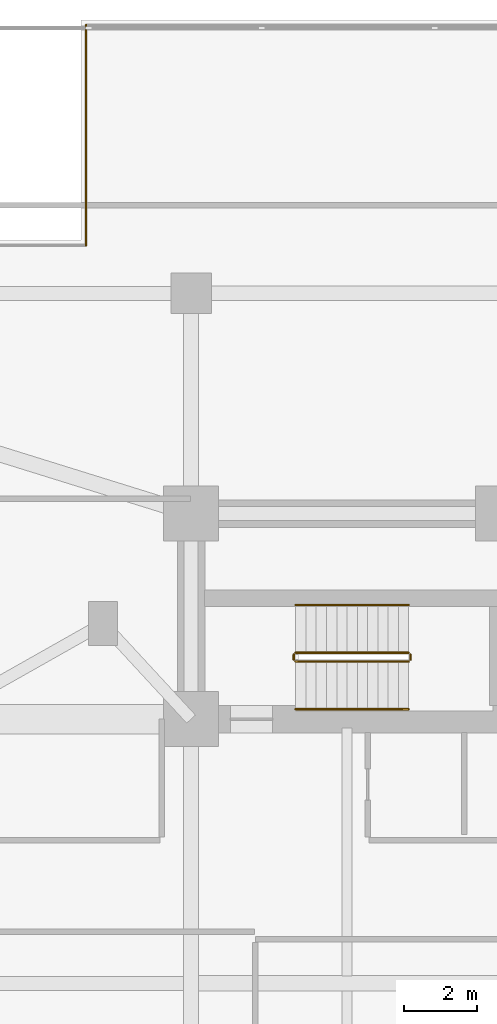
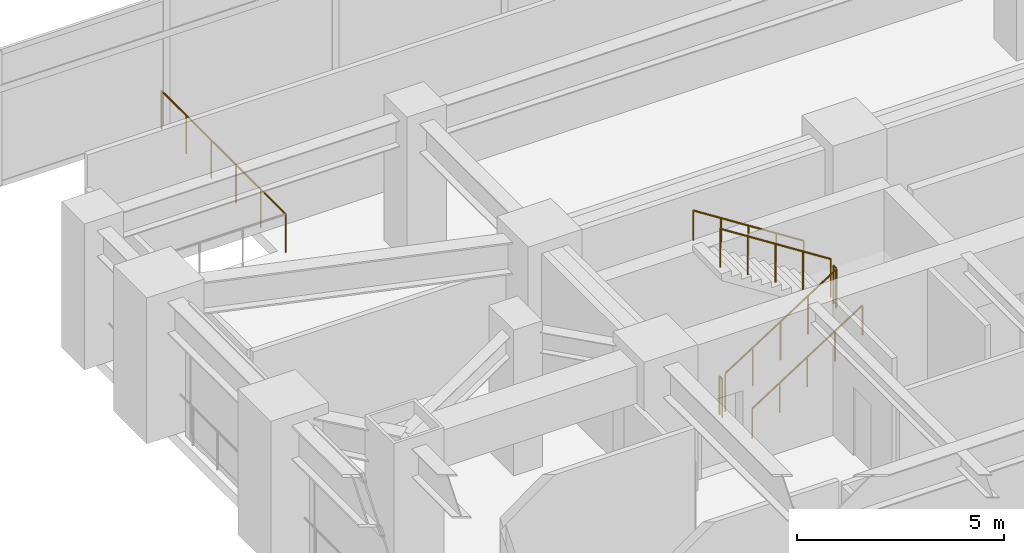
# One storey, part 30 of 31: 7 railings.
"""IFC4 building model written with IfcOpenShell, lengths in metres."""

from ifc_helpers import new_model, si_unit, direction, frame, origin, origin_2d, place, context, subcontext, project, spatial, circle, extrude, material, type_object, element, save


model = new_model("IFC4")

# Units and contexts
model_context = context("Model", 3, precision=1e-05, world=origin(), true_north=direction((0.0, 1.0)))
body_context = subcontext(model_context, "Body", "Model", "MODEL_VIEW")
ifc_project = project(units=[si_unit("LENGTHUNIT", "METRE"), si_unit("AREAUNIT", "SQUARE_METRE"), si_unit("VOLUMEUNIT", "CUBIC_METRE"), si_unit("PLANEANGLEUNIT", "RADIAN"), si_unit("MASSUNIT", "GRAM", prefix="KILO")], contexts=[model_context])

# Site, building, storey
site_placement = place(None, origin())
site = spatial("IfcSite", under=ifc_project, at=site_placement, CompositionType="ELEMENT")
building_placement = place(site_placement, origin())
building = spatial("IfcBuilding", under=site, at=building_placement, Name="Mirazonda Arch Towers", CompositionType="ELEMENT")
storey_placement = place(building_placement, frame((0.0, 0.0, 5.199951171875)))
storey = spatial("IfcBuildingStorey", under=building, at=storey_placement, Name="L01", CompositionType="ELEMENT", Elevation=5.199951171875)

# Railings
ifc_material = material(Name="Architectural Brushed Steel S355", Category="steel")
railing_type_1 = type_object("IfcRailingType", Name="GUARD-EXT-1150", PredefinedType="GUARDRAIL", material=ifc_material)
railing_1_placement = place(storey_placement, frame((65.139892578125, 54.110107421875, 0.0)))
element("IfcRailing", 1, at=railing_1_placement, inside=storey, type_object=railing_type_1, Name="L01 L01 East Podium Perimeter Guard 08", PredefinedType="GUARDRAIL", context=body_context, shape_type="SweptSolid", body=[
    extrude(circle(Radius=0.02392578125, at=origin_2d()), frame((0.0, 0.0, 1.1259765625), z_axis=(0.0, -1.0, 0.0), x_axis=(1.0, 0.0, 0.0)), (0.0, 0.0, 1.0), 6.0),
    extrude(circle(Radius=0.02099609375, at=origin_2d()), origin(), (0.0, 0.0, 1.0), 1.101806640625),
    extrude(circle(Radius=0.02099609375, at=origin_2d()), frame((0.0, -1.199951171875, 0.0)), (0.0, 0.0, 1.0), 1.101806640625),
    extrude(circle(Radius=0.02099609375, at=origin_2d()), frame((0.0, -2.39990234375, 0.0)), (0.0, 0.0, 1.0), 1.101806640625),
    extrude(circle(Radius=0.02099609375, at=origin_2d()), frame((0.0, -3.60009765625, 0.0)), (0.0, 0.0, 1.0), 1.101806640625),
    extrude(circle(Radius=0.02099609375, at=origin_2d()), frame((0.0, -4.800048828125, 0.0)), (0.0, 0.0, 1.0), 1.101806640625),
    extrude(circle(Radius=0.02099609375, at=origin_2d()), frame((0.0, -6.0, 0.0)), (0.0, 0.0, 1.0), 1.101806640625),
])
railing_type_2 = type_object("IfcRailingType", Name="GUARD-STAIR-1120", PredefinedType="GUARDRAIL", material=ifc_material)
railing_2_placement = place(storey_placement, frame((70.85009765625, 36.77001953125, 0.17919921875)))
element("IfcRailing", 2, at=railing_2_placement, inside=storey, type_object=railing_type_2, Name="L01 ST-T2N stair guard 1", PredefinedType="GUARDRAIL", context=body_context, shape_type="SweptSolid", body=[
    extrude(circle(Radius=0.02392578125, at=origin_2d()), frame((0.0, 0.0, 1.1259765625), z_axis=(0.842289589211, 0.0, 0.539025275759), x_axis=(0.0, 1.0, 0.0)), (0.0, 0.0, 1.0), 3.656494140625),
    extrude(circle(Radius=0.02099609375, at=origin_2d()), origin(), (0.0, 0.0, 1.0), 1.101806640625),
    extrude(circle(Radius=0.02099609375, at=origin_2d()), frame((0.77001953125, 0.0, 0.49267578125)), (0.0, 0.0, 1.0), 1.101806640625),
    extrude(circle(Radius=0.02099609375, at=origin_2d()), frame((1.5400390625, 0.0, 0.9853515625)), (0.0, 0.0, 1.0), 1.101806640625),
    extrude(circle(Radius=0.02099609375, at=origin_2d()), frame((2.309814453125, 0.0, 1.478271484375)), (0.0, 0.0, 1.0), 1.101806640625),
    extrude(circle(Radius=0.02099609375, at=origin_2d()), frame((3.079833984375, 0.0, 1.970947265625)), (0.0, 0.0, 1.0), 1.101806640625),
])
railing_3_placement = place(storey_placement, frame((73.97998046875, 36.820068359375, 2.150146484375)))
element("IfcRailing", 3, at=railing_3_placement, inside=storey, type_object=railing_type_2, Name="L01 ST-T2N stair guard 2", PredefinedType="GUARDRAIL", context=body_context, shape_type="SweptSolid", body=[
    extrude(circle(Radius=0.02392578125, at=origin_2d()), frame((0.0, 0.0, 1.1259765625), z_axis=(0.0, 1.0, 0.0), x_axis=(-1.0, 0.0, 0.0)), (0.0, 0.0, 1.0), 0.139892578125),
    extrude(circle(Radius=0.02099609375, at=origin_2d()), origin(), (0.0, 0.0, 1.0), 1.101806640625),
    extrude(circle(Radius=0.02099609375, at=origin_2d()), frame((0.0, 0.139892578125, 0.0)), (0.0, 0.0, 1.0), 1.101806640625),
])
railing_4_placement = place(storey_placement, frame((73.929931640625, 37.010009765625, 2.3291015625)))
element("IfcRailing", 4, at=railing_4_placement, inside=storey, type_object=railing_type_2, Name="L01 ST-T2N stair guard 3", PredefinedType="GUARDRAIL", context=body_context, shape_type="SweptSolid", body=[
    extrude(circle(Radius=0.02392578125, at=origin_2d()), frame((0.0, 0.0, 1.1259765625), z_axis=(-0.842289589211, 0.0, 0.539025275759), x_axis=(0.0, -1.0, 0.0)), (0.0, 0.0, 1.0), 3.656494140625),
    extrude(circle(Radius=0.02099609375, at=origin_2d()), origin(), (0.0, 0.0, 1.0), 1.101806640625),
    extrude(circle(Radius=0.02099609375, at=origin_2d()), frame((-0.77001953125, 0.0, 0.49267578125)), (0.0, 0.0, 1.0), 1.101806640625),
    extrude(circle(Radius=0.02099609375, at=origin_2d()), frame((-1.5400390625, 0.0, 0.9853515625)), (0.0, 0.0, 1.0), 1.101806640625),
    extrude(circle(Radius=0.02099609375, at=origin_2d()), frame((-2.309814453125, 0.0, 1.478271484375)), (0.0, 0.0, 1.0), 1.101806640625),
    extrude(circle(Radius=0.02099609375, at=origin_2d()), frame((-3.079833984375, 0.0, 1.970947265625)), (0.0, 0.0, 1.0), 1.101806640625),
])
railing_5_placement = place(storey_placement, frame((70.800048828125, 36.820068359375, 0.0)))
element("IfcRailing", 5, at=railing_5_placement, inside=storey, type_object=railing_type_2, Name="L01 ST-T2N stair guard 4", PredefinedType="GUARDRAIL", context=body_context, shape_type="SweptSolid", body=[
    extrude(circle(Radius=0.02392578125, at=origin_2d()), frame((0.0, 0.0, 1.1259765625), z_axis=(0.0, 1.0, 0.0), x_axis=(-1.0, 0.0, 0.0)), (0.0, 0.0, 1.0), 0.139892578125),
    extrude(circle(Radius=0.02099609375, at=origin_2d()), origin(), (0.0, 0.0, 1.0), 1.101806640625),
    extrude(circle(Radius=0.02099609375, at=origin_2d()), frame((0.0, 0.139892578125, 0.0)), (0.0, 0.0, 1.0), 1.101806640625),
])
railing_type_3 = type_object("IfcRailingType", Name="HANDRAIL-915", PredefinedType="HANDRAIL", material=ifc_material)
railing_6_placement = place(storey_placement, frame((70.85009765625, 35.469970703125, 0.17919921875)))
element("IfcRailing", 6, at=railing_6_placement, inside=storey, type_object=railing_type_3, Name="L01 ST-T2N stair handrail 1", PredefinedType="HANDRAIL", context=body_context, shape_type="SweptSolid", body=[
    extrude(circle(Radius=0.02392578125, at=origin_2d()), frame((0.0, 0.0, 0.8759765625), z_axis=(0.842289589211, 0.0, 0.539025275759), x_axis=(0.0, 1.0, 0.0)), (0.0, 0.0, 1.0), 3.656494140625),
    extrude(circle(Radius=0.02099609375, at=origin_2d()), origin(), (0.0, 0.0, 1.0), 0.851806640625),
    extrude(circle(Radius=0.02099609375, at=origin_2d()), frame((0.77001953125, 0.0, 0.49267578125)), (0.0, 0.0, 1.0), 0.851806640625),
    extrude(circle(Radius=0.02099609375, at=origin_2d()), frame((1.5400390625, 0.0, 0.9853515625)), (0.0, 0.0, 1.0), 0.851806640625),
    extrude(circle(Radius=0.02099609375, at=origin_2d()), frame((2.309814453125, 0.0, 1.478271484375)), (0.0, 0.0, 1.0), 0.851806640625),
    extrude(circle(Radius=0.02099609375, at=origin_2d()), frame((3.079833984375, 0.0, 1.970947265625)), (0.0, 0.0, 1.0), 0.851806640625),
])
railing_7_placement = place(storey_placement, frame((73.929931640625, 38.31005859375, 2.3291015625)))
element("IfcRailing", 7, at=railing_7_placement, inside=storey, type_object=railing_type_3, Name="L01 ST-T2N stair handrail 2", PredefinedType="HANDRAIL", context=body_context, shape_type="SweptSolid", body=[
    extrude(circle(Radius=0.02392578125, at=origin_2d()), frame((0.0, 0.0, 0.8759765625), z_axis=(-0.842289589211, 0.0, 0.539025275759), x_axis=(0.0, -1.0, 0.0)), (0.0, 0.0, 1.0), 3.656494140625),
    extrude(circle(Radius=0.02099609375, at=origin_2d()), origin(), (0.0, 0.0, 1.0), 0.851806640625),
    extrude(circle(Radius=0.02099609375, at=origin_2d()), frame((-0.77001953125, 0.0, 0.49267578125)), (0.0, 0.0, 1.0), 0.851806640625),
    extrude(circle(Radius=0.02099609375, at=origin_2d()), frame((-1.5400390625, 0.0, 0.9853515625)), (0.0, 0.0, 1.0), 0.851806640625),
    extrude(circle(Radius=0.02099609375, at=origin_2d()), frame((-2.309814453125, 0.0, 1.478271484375)), (0.0, 0.0, 1.0), 0.851806640625),
    extrude(circle(Radius=0.02099609375, at=origin_2d()), frame((-3.079833984375, 0.0, 1.970947265625)), (0.0, 0.0, 1.0), 0.851806640625),
])

save(model, "model.ifc")
